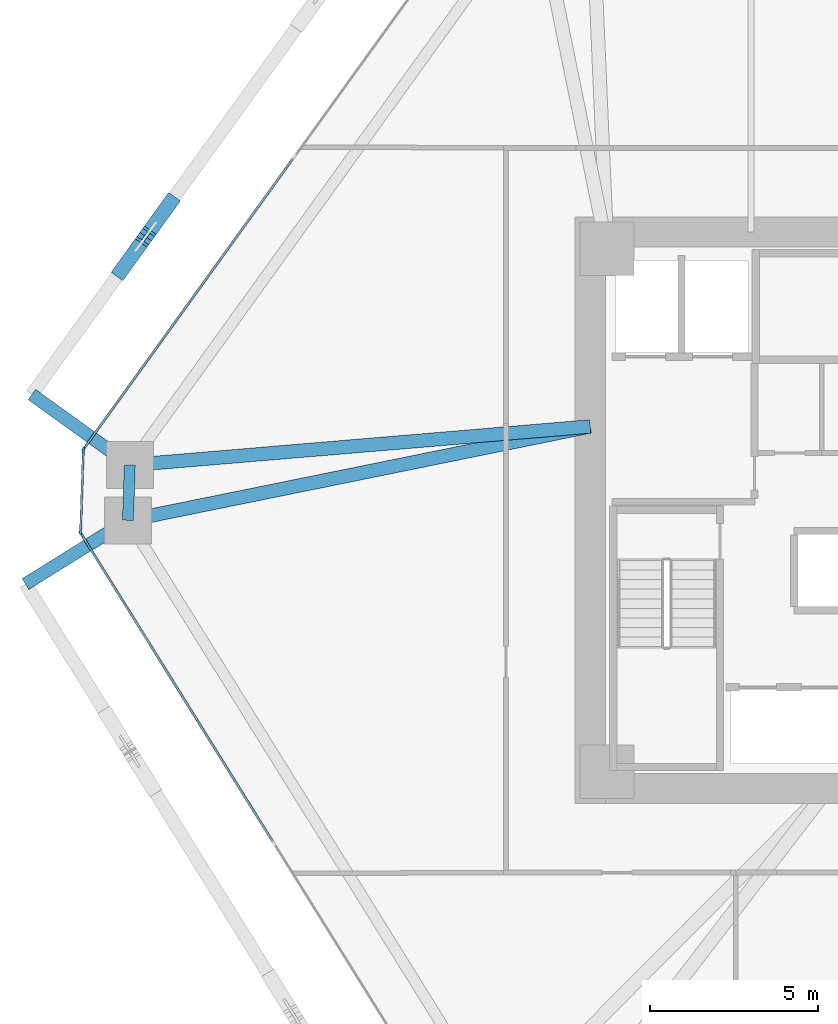
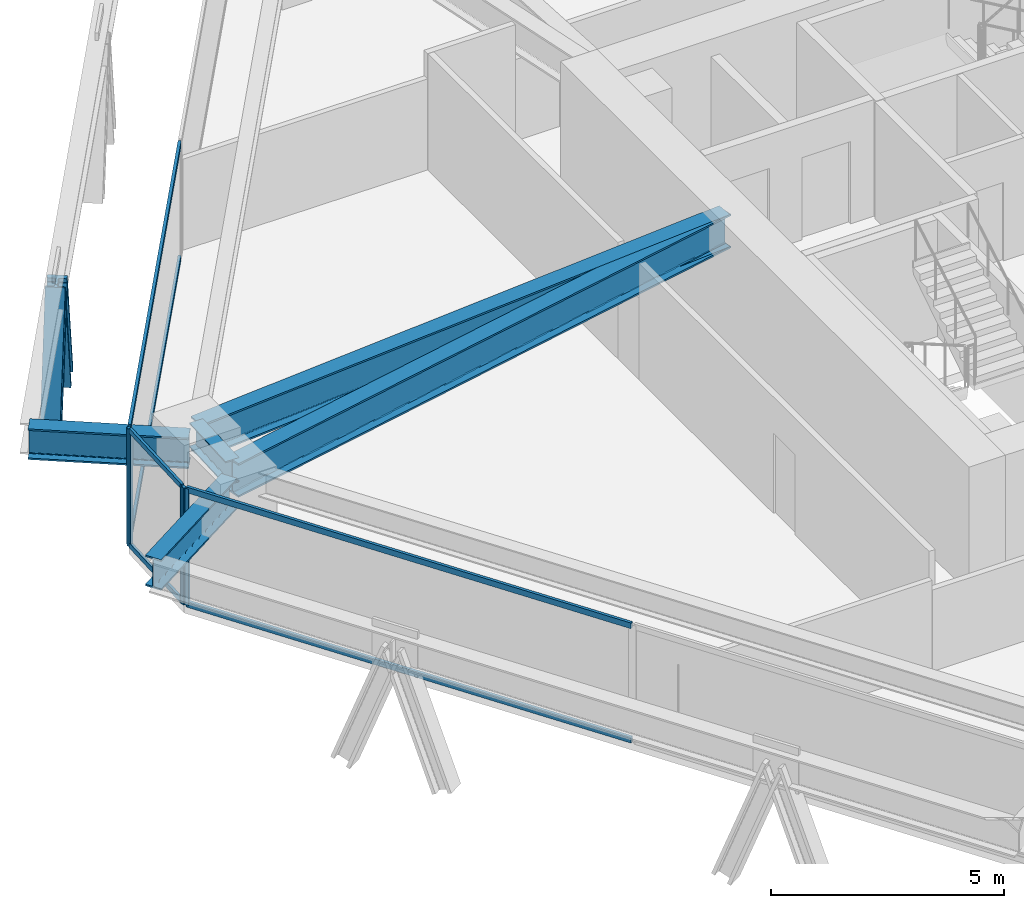
# One storey, part 4 of 16: 12 members, 5 beams, 3 elements without a shape of their own.
"""IFC4 building model written with IfcOpenShell, lengths in metres."""

import ifcopenshell
import ifcopenshell.guid

model = None  # the IFC model being written
_history = None  # IfcOwnerHistory: only IFC2X3 demands one
_inside = {}  # id of a spatial element -> (the spatial element, [elements in it])
_under = {}  # id of a project, library or spatial element -> (it, [spatial elements below it])
_declared = {}  # id of a project -> (the project, [libraries it declares])
_typed = {}  # id of a type object -> (the type object, [elements of that type])
_made_of = {}  # id of a material, layer set ... -> (it, [elements and type objects made of it])


def new_model(schema):
    """Start an empty IFC model of exactly this schema.

    Asked for "IFC4X3", IfcOpenShell would pick the latest addendum, in which some entities
    have other attributes; the version numbers below select the first issue.
    IFC2X3 requires an IfcOwnerHistory on every rooted entity: one is made here for all.
    """
    global model, _history
    if schema == "IFC4X3":
        model = ifcopenshell.file(schema_version=(4, 3, 0, 0))
    else:
        model = ifcopenshell.file(schema=schema)
    _inside.clear()
    _under.clear()
    _declared.clear()
    _typed.clear()
    _made_of.clear()
    _history = None
    if model.schema == "IFC2X3":
        org = make("IfcOrganization", Name="unknown")
        user = make(
            "IfcPersonAndOrganization",
            ThePerson=make("IfcPerson", FamilyName="unknown"),
            TheOrganization=org,
        )
        app = make(
            "IfcApplication",
            ApplicationDeveloper=org,
            Version="unknown",
            ApplicationFullName="unknown",
            ApplicationIdentifier="unknown",
        )
        _history = make(
            "IfcOwnerHistory",
            OwningUser=user,
            OwningApplication=app,
            ChangeAction="ADDED",
            CreationDate=0,
        )
    return model


def make(cls, **values):
    """One entity of the class cls with the attributes given. An attribute that is None is left unset."""
    return model.create_entity(
        cls, **{name: value for name, value in values.items() if value is not None}
    )


def rooted(cls, **values):
    """An entity with a GlobalId (a new one), such as an element, a storey or a relation."""
    return make(cls, GlobalId=ifcopenshell.guid.new(), OwnerHistory=_history, **values)


def si_unit(unit_type, name, prefix=None):
    """IfcSIUnit, for example si_unit("LENGTHUNIT", "METRE", prefix="MILLI")."""
    return make("IfcSIUnit", UnitType=unit_type, Prefix=prefix, Name=name)


def assignment(units):
    """IfcUnitAssignment: the units of a project."""
    return None if units is None else make("IfcUnitAssignment", Units=units)


def point(xyz):
    """IfcCartesianPoint."""
    return None if xyz is None else make("IfcCartesianPoint", Coordinates=xyz)


def direction(xyz):
    """IfcDirection."""
    return None if xyz is None else make("IfcDirection", DirectionRatios=xyz)


def frame(location, z_axis=None, x_axis=None):
    """IfcAxis2Placement3D, a coordinate frame: its origin and axes. An axis left out is left unset."""
    return make(
        "IfcAxis2Placement3D",
        Location=point(location),
        Axis=direction(z_axis),
        RefDirection=direction(x_axis),
    )


def frame_2d(location, x_axis=None):
    """IfcAxis2Placement2D, a coordinate frame in the plane: its origin and x axis."""
    return make(
        "IfcAxis2Placement2D", Location=point(location), RefDirection=direction(x_axis)
    )


def origin():
    """The frame at (0, 0, 0) with its axes left unset."""
    return frame((0.0, 0.0, 0.0))


def origin_2d():
    """The frame at (0, 0) in the plane with its x axis left unset."""
    return frame_2d((0.0, 0.0))


def place(relative_to, where):
    """IfcLocalPlacement: puts the frame where relative to a parent placement (None: the world)."""
    return make(
        "IfcLocalPlacement", PlacementRelTo=relative_to, RelativePlacement=where
    )


def context(
    kind, dimensions, precision=None, world=None, true_north=None, identifier=None
):
    """IfcGeometricRepresentationContext, for example the 3D "Model" context."""
    return make(
        "IfcGeometricRepresentationContext",
        ContextIdentifier=identifier,
        ContextType=kind,
        CoordinateSpaceDimension=dimensions,
        Precision=precision,
        WorldCoordinateSystem=world,
        TrueNorth=true_north,
    )


def subcontext(parent, identifier, kind, view, scale=None):
    """IfcGeometricRepresentationSubContext, for example "Body" below "Model"."""
    return make(
        "IfcGeometricRepresentationSubContext",
        ContextIdentifier=identifier,
        ContextType=kind,
        ParentContext=parent,
        TargetScale=scale,
        TargetView=view,
    )


def project(units=None, contexts=None):
    """IfcProject with its units and contexts."""
    return rooted(
        "IfcProject",
        Name="project",
        RepresentationContexts=contexts,
        UnitsInContext=assignment(units),
    )


def spatial(cls, under=None, at=None, **own):
    """A site, building, storey or space (cls), placed at a placement, below another one or the project."""
    s = rooted(cls, ObjectPlacement=at, **own)
    if under is not None:
        _under.setdefault(under.id(), (under, []))[1].append(s)
    return s


def profile(cls, at=None, kind="AREA", **sizes):
    """A parametric profile (cls). Its sizes go by their IFC names, for example OverallWidth=200.0."""
    return make(cls, ProfileType=kind, Position=at, **sizes)


def rectangle(**sizes):
    """IfcRectangleProfileDef."""
    return profile("IfcRectangleProfileDef", **sizes)


def i_section(**sizes):
    """IfcIShapeProfileDef."""
    return profile("IfcIShapeProfileDef", **sizes)


def extrude(swept, where, along, depth):
    """IfcExtrudedAreaSolid: the profile swept, set in the frame where, extruded along a direction by depth."""
    return make(
        "IfcExtrudedAreaSolid",
        SweptArea=swept,
        Position=where,
        ExtrudedDirection=direction(along),
        Depth=depth,
    )


def shape(context_of_items, identifier, shape_type, items):
    """IfcShapeRepresentation: the items that make up one representation, for example the "Body"."""
    return make(
        "IfcShapeRepresentation",
        ContextOfItems=context_of_items,
        RepresentationIdentifier=identifier,
        RepresentationType=shape_type,
        Items=items,
    )


def source(mapping_origin, context_of_items, identifier, shape_type, items):
    """IfcRepresentationMap: a shape defined once, which mapped items show again and again."""
    return make(
        "IfcRepresentationMap",
        MappingOrigin=mapping_origin,
        MappedRepresentation=shape(context_of_items, identifier, shape_type, items),
    )


def transform(
    local_origin,
    x_axis=None,
    y_axis=None,
    z_axis=None,
    scale=None,
    scale2=None,
    scale3=None,
    uniform=True,
):
    """IfcCartesianTransformationOperator3D, or its non-uniform kind. x_axis, y_axis, z_axis: its Axis1, 2, 3."""
    if uniform:
        return make(
            "IfcCartesianTransformationOperator3D",
            Axis1=direction(x_axis),
            Axis2=direction(y_axis),
            LocalOrigin=point(local_origin),
            Scale=scale,
            Axis3=direction(z_axis),
        )
    return make(
        "IfcCartesianTransformationOperator3DnonUniform",
        Axis1=direction(x_axis),
        Axis2=direction(y_axis),
        LocalOrigin=point(local_origin),
        Scale=scale,
        Axis3=direction(z_axis),
        Scale2=scale2,
        Scale3=scale3,
    )


def mapped(mapping_source, mapping_target):
    """IfcMappedItem: shows the shape of a source again, moved by a transform."""
    return make(
        "IfcMappedItem", MappingSource=mapping_source, MappingTarget=mapping_target
    )


def material(Name=None, Category=None):
    """IfcMaterial."""
    return make("IfcMaterial", Name=Name, Category=Category)


def layer(
    of_material, thickness, ventilated=None, Name=None, Category=None, Priority=None
):
    """IfcMaterialLayer: one layer of a wall or slab, of a material (None: an air gap)."""
    return make(
        "IfcMaterialLayer",
        Material=of_material,
        LayerThickness=thickness,
        IsVentilated=ventilated,
        Name=Name,
        Category=Category,
        Priority=Priority,
    )


def layer_set(layers, Name=None):
    """IfcMaterialLayerSet."""
    return make("IfcMaterialLayerSet", MaterialLayers=layers, LayerSetName=Name)


def material_profile(
    of_material, cross_section, Name=None, Category=None, Priority=None
):
    """IfcMaterialProfile: a cross section and its material."""
    return make(
        "IfcMaterialProfile",
        Name=Name,
        Material=of_material,
        Profile=cross_section,
        Priority=Priority,
        Category=Category,
    )


def profile_set(profiles, Name=None, composite=None):
    """IfcMaterialProfileSet."""
    return make(
        "IfcMaterialProfileSet",
        Name=Name,
        MaterialProfiles=profiles,
        CompositeProfile=composite,
    )


def made_of(thing, what):
    """Note that an element or type object is made of a material, layer set ...; save() writes the relation."""
    if what is not None:
        _made_of.setdefault(what.id(), (what, []))[1].append(thing)
    return thing


def type_object(cls, material=None, **own):
    """A type object (cls), such as IfcWallType, which elements share."""
    return made_of(rooted(cls, **own), material)


def type_shapes(of_type, sources):
    """Give a type object the sources (RepresentationMaps) that its elements show as mapped items."""
    of_type.RepresentationMaps = sources


def element(
    cls,
    number,
    at=None,
    inside=None,
    cuts=None,
    type_object=None,
    material=None,
    context=None,
    identifier="Body",
    shape_type=None,
    held_by="IfcProductDefinitionShape",
    body=None,
    shapes=None,
    **own,
):
    """One element of the class cls, such as IfcWall. Its Tag is "e" and its number.

    at: its placement. inside: the storey or other place that contains it. cuts: it is an
    opening in that element (IfcRelVoidsElement). A single representation is given by context,
    identifier, shape_type and body (its items); several are given by shapes. held_by: the class
    of the entity that holds the representations. save() writes the other relations.
    """
    e = rooted(cls, Tag="e%d" % number, ObjectPlacement=at, **own)
    if body is not None:
        shapes = [shape(context, identifier, shape_type, body)]
    if shapes is not None:
        e.Representation = make(held_by, Representations=shapes)
    if inside is not None:
        _inside.setdefault(inside.id(), (inside, []))[1].append(e)
    if cuts is not None:
        rooted(
            "IfcRelVoidsElement", RelatingBuildingElement=cuts, RelatedOpeningElement=e
        )
    if type_object is not None:
        _typed.setdefault(type_object.id(), (type_object, []))[1].append(e)
    return made_of(e, material)


def aggregate(whole, parts):
    """IfcRelAggregates: a whole, such as a stair, and the parts it consists of."""
    return rooted("IfcRelAggregates", RelatingObject=whole, RelatedObjects=parts)


def save(model, path):
    """Write the relations noted so far, then the file.

    IfcRelAggregates (storeys below a building ...), IfcRelContainedInSpatialStructure (elements
    in a storey), IfcRelDefinesByType, IfcRelAssociatesMaterial and IfcRelDeclares: one each for
    every whole, place, type object, material and project.
    """
    for whole, parts in _under.values():
        aggregate(whole, parts)
    for where, things in _inside.values():
        rooted(
            "IfcRelContainedInSpatialStructure",
            RelatedElements=things,
            RelatingStructure=where,
        )
    for kind, things in _typed.values():
        rooted("IfcRelDefinesByType", RelatedObjects=things, RelatingType=kind)
    for what, things in _made_of.values():
        rooted("IfcRelAssociatesMaterial", RelatedObjects=things, RelatingMaterial=what)
    for by, libraries in _declared.values():
        rooted("IfcRelDeclares", RelatingContext=by, RelatedDefinitions=libraries)
    model.write(path)


model = new_model("IFC4")

# Units and contexts
model_context = context("Model", 3, precision=1e-05, world=origin(), true_north=direction((0.0, 1.0)))
body_context = subcontext(model_context, "Body", "Model", "MODEL_VIEW")
ifc_project = project(units=[si_unit("LENGTHUNIT", "METRE"), si_unit("AREAUNIT", "SQUARE_METRE"), si_unit("VOLUMEUNIT", "CUBIC_METRE"), si_unit("PLANEANGLEUNIT", "RADIAN"), si_unit("MASSUNIT", "GRAM", prefix="KILO")], contexts=[model_context])

# Site, building, storey
site_placement = place(None, origin())
site = spatial("IfcSite", under=ifc_project, at=site_placement, CompositionType="ELEMENT")
building_placement = place(site_placement, origin())
building = spatial("IfcBuilding", under=site, at=building_placement, Name="Durnholm Broadcast Tower", CompositionType="ELEMENT")
storey_placement = place(building_placement, frame((0.0, 0.0, 65.39990234375)))
storey = spatial("IfcBuildingStorey", under=building, at=storey_placement, Name="L16", CompositionType="ELEMENT", Elevation=65.39990234375)

# Beams
ifc_material_1 = material(Name="Steel ASTM A992 Grade 50", Category="steel")
ifc_material_profile_1 = material_profile(ifc_material_1, i_section(OverallWidth=0.3291015625, OverallDepth=0.635009765625, WebThickness=0.017822265625, FlangeThickness=0.031005859375, FilletRadius=0.02783203125, at=origin_2d()), Name="W24X162")
ifc_profile_set_1 = profile_set([ifc_material_profile_1], Name="Steel ASTM A992 Grade 50")
beam_type_1 = type_object("IfcBeamType", Name="STL-SP-W24X162", PredefinedType="SPANDREL", material=ifc_profile_set_1)
shared_shape_1 = source(origin(), body_context, "Body", "SweptSolid", [
    extrude(i_section(OverallWidth=0.3291015625, OverallDepth=0.635009765625, WebThickness=0.017822265625, FlangeThickness=0.031005859375, FilletRadius=0.02783203125, at=origin_2d()), origin(), (0.0, 0.0, 1.0), 1.648193359375),
])
type_shapes(beam_type_1, [shared_shape_1])
beam_1_placement = place(storey_placement, frame((-24.0908203125, -0.2998046875, 2.7275390625), z_axis=(0.033921477804, 0.999424501072, 0.0), x_axis=(-0.999424501072, 0.033921477804, 0.0)))
element("IfcBeam", 1, at=beam_1_placement, inside=storey, type_object=beam_type_1, Name="L16 perimeter spandrel girder 02", PredefinedType="SPANDREL", context=body_context, shape_type="MappedRepresentation", body=[
    mapped(shared_shape_1, transform((0.0, 0.0, 0.0), x_axis=(1.0, 0.0, 0.0), y_axis=(0.0, 1.0, 0.0), z_axis=(0.0, 0.0, 1.0), scale=1.0)),
])
ifc_material_profile_2 = material_profile(ifc_material_1, i_section(OverallWidth=0.404052734375, OverallDepth=0.885009765625, WebThickness=0.0244140625, FlangeThickness=0.0439453125, FilletRadius=0.03564453125, at=origin_2d()), Name="W33X291")
ifc_profile_set_2 = profile_set([ifc_material_profile_2], Name="Steel ASTM A992 Grade 50")
beam_type_2 = type_object("IfcBeamType", Name="STL-GR-W33X291", PredefinedType="USERDEFINED", material=ifc_profile_set_2)
shared_shape_2 = source(origin(), body_context, "Body", "SweptSolid", [
    extrude(i_section(OverallWidth=0.404052734375, OverallDepth=0.885009765625, WebThickness=0.0244140625, FlangeThickness=0.0439453125, FilletRadius=0.03564453125, at=origin_2d()), origin(), (0.0, 0.0, 1.0), 14.072021484375),
])
beam_2_placement = place(storey_placement, frame((-10.300048828125, 2.5, 2.6025390625), z_axis=(-0.980007356767, -0.198961254225, 0.0), x_axis=(0.198961254225, -0.980007356767, 0.0)))
element("IfcBeam", 2, at=beam_2_placement, inside=storey, type_object=beam_type_2, Name="L16 radial primary floor girder 02", ObjectType="GIRDER", PredefinedType="USERDEFINED", context=body_context, shape_type="MappedRepresentation", body=[
    mapped(shared_shape_2, transform((0.0, 0.0, 0.0), x_axis=(1.0, 0.0, 0.0), y_axis=(0.0, 1.0, 0.0), z_axis=(0.0, 0.0, 1.0), scale=1.0)),
])
shared_shape_3 = source(origin(), body_context, "Body", "SweptSolid", [
    extrude(i_section(OverallWidth=0.404052734375, OverallDepth=0.885009765625, WebThickness=0.0244140625, FlangeThickness=0.0439453125, FilletRadius=0.03564453125, at=origin_2d()), origin(), (0.0, 0.0, 1.0), 13.783203125),
])
type_shapes(beam_type_2, [shared_shape_2, shared_shape_3])
beam_3_placement = place(storey_placement, frame((-10.300048828125, 2.5, 2.6025390625), z_axis=(-0.996497460403, -0.083623031579, 0.0), x_axis=(0.083623031579, -0.996497460403, 0.0)))
element("IfcBeam", 3, at=beam_3_placement, inside=storey, type_object=beam_type_2, Name="L16 radial primary floor girder 03", ObjectType="GIRDER", PredefinedType="USERDEFINED", context=body_context, shape_type="MappedRepresentation", body=[
    mapped(shared_shape_3, transform((0.0, 0.0, 0.0), x_axis=(1.0, 0.0, 0.0), y_axis=(0.0, 1.0, 0.0), z_axis=(0.0, 0.0, 1.0), scale=1.0)),
])
ifc_material_profile_3 = material_profile(ifc_material_1, i_section(OverallWidth=0.385009765625, OverallDepth=0.802978515625, WebThickness=0.023681640625, FlangeThickness=0.0419921875, FilletRadius=0.032958984375, at=origin_2d()), Name="W30X261")
ifc_profile_set_3 = profile_set([ifc_material_profile_3], Name="Steel ASTM A992 Grade 50")
beam_type_3 = type_object("IfcBeamType", Name="BM-EXO-TIE", PredefinedType="USERDEFINED", material=ifc_profile_set_3)
shared_shape_4 = source(origin(), body_context, "Body", "SweptSolid", [
    extrude(i_section(OverallWidth=0.385009765625, OverallDepth=0.802978515625, WebThickness=0.023681640625, FlangeThickness=0.0419921875, FilletRadius=0.032958984375, at=origin_2d()), origin(), (0.0, 0.0, 1.0), 3.4560546875),
])
beam_4_placement = place(storey_placement, frame((-24.212890625, -0.375732421875, 2.30859375), z_axis=(-0.848874183218, -0.528594949906, 0.0), x_axis=(0.528594949906, -0.848874183218, 0.0)))
element("IfcBeam", 4, at=beam_4_placement, inside=storey, type_object=beam_type_3, Name="L16 exoskeleton stand-off tie bracket F6.1", ObjectType="GIRDER", PredefinedType="USERDEFINED", context=body_context, shape_type="MappedRepresentation", body=[
    mapped(shared_shape_4, transform((0.0, 0.0, 0.0), x_axis=(1.0, 0.0, 0.0), y_axis=(0.0, 1.0, 0.0), z_axis=(0.0, 0.0, 1.0), scale=1.0)),
])
shared_shape_5 = source(origin(), body_context, "Body", "SweptSolid", [
    extrude(i_section(OverallWidth=0.385009765625, OverallDepth=0.802978515625, WebThickness=0.023681640625, FlangeThickness=0.0419921875, FilletRadius=0.032958984375, at=origin_2d()), origin(), (0.0, 0.0, 1.0), 3.455810546875),
])
type_shapes(beam_type_3, [shared_shape_4, shared_shape_5])
beam_5_placement = place(storey_placement, frame((-24.15185546875, 1.431396484375, 2.30859375), z_axis=(-0.811133512552, 0.584861030344, 0.0), x_axis=(-0.584861030344, -0.811133512552, 0.0)))
element("IfcBeam", 5, at=beam_5_placement, inside=storey, type_object=beam_type_3, Name="L16 exoskeleton stand-off tie bracket F5.2", ObjectType="GIRDER", PredefinedType="USERDEFINED", context=body_context, shape_type="MappedRepresentation", body=[
    mapped(shared_shape_5, transform((0.0, 0.0, 0.0), x_axis=(1.0, 0.0, 0.0), y_axis=(0.0, 1.0, 0.0), z_axis=(0.0, 0.0, 1.0), scale=1.0)),
])

# Members
ifc_material_2 = material(Name="Steel ASTM A913 Grade 65", Category="steel")
ifc_material_profile_4 = material_profile(ifc_material_2, i_section(OverallWidth=0.43212890625, OverallDepth=0.497802734375, WebThickness=0.0556640625, FlangeThickness=0.0888671875, FilletRadius=0.030517578125, at=origin_2d()), Name="W14X500")
ifc_profile_set_4 = profile_set([ifc_material_profile_4], Name="Steel ASTM A913 Grade 65")
member_type_1 = type_object("IfcMemberType", Name="STL-DG-W14X500", PredefinedType="BRACE", material=ifc_profile_set_4)
shared_shape_6 = source(origin(), body_context, "Body", "SweptSolid", [
    extrude(i_section(OverallWidth=0.43212890625, OverallDepth=0.497802734375, WebThickness=0.0556640625, FlangeThickness=0.0888671875, FilletRadius=0.030517578125, at=origin_2d()), origin(), (0.0, 0.0, 1.0), 3.52294921875),
])
type_shapes(member_type_1, [shared_shape_6])
for number, where, z_axis, x_axis, name in (
    (6, (-22.837890625, 9.163330078125, -0.9912109375), (-0.204852434815, -0.28406296695, 0.936666275019), (0.81109123444, -0.58491966065, 0.0), "L16 stand-off diagrid brace F5.D2.1"),
    (7, (-24.281005859375, 7.161865234375, -0.9912109375), (0.204786041012, 0.284066999022, 0.93667957033), (-0.811185111535, 0.584789461963, 0.0), "L16 stand-off diagrid brace F5.D2.2"),
):
    element("IfcMember", number, at=place(storey_placement, frame(where, z_axis=z_axis, x_axis=x_axis)), inside=storey, type_object=member_type_1, Name=name, PredefinedType="BRACE", context=body_context, shape_type="MappedRepresentation", body=[
        mapped(shared_shape_6, transform((0.0, 0.0, 0.0), x_axis=(1.0, 0.0, 0.0), y_axis=(0.0, 1.0, 0.0), z_axis=(0.0, 0.0, 1.0), scale=1.0)),
    ])

# Curtain wall, members
ifc_material_3 = material(Name="Aluminium and Solar Control IGU", Category="aluminium")
ifc_layer_1 = layer(ifc_material_3, 0.1650390625)
ifc_layer_set_1 = layer_set([ifc_layer_1], Name="Aluminium and Solar Control IGU")
curtain_wall_type_1 = type_object("IfcCurtainWallType", Name="CW-SYS-5", PredefinedType="NOTDEFINED", material=ifc_layer_set_1)
curtain_wall_1_placement = place(storey_placement, origin())
curtain_wall_1 = element("IfcCurtainWall", 8, at=curtain_wall_1_placement, inside=storey, type_object=curtain_wall_type_1, Name="L16 curtain wall CW-CORNER CW-L16-CRN-01", PredefinedType="NOTDEFINED")
ifc_material_4 = material(Name="Aluminium 6063-T6", Category="aluminium")
ifc_material_profile_5 = material_profile(ifc_material_4, rectangle(XDim=0.06494140625, YDim=0.1650390625, at=origin_2d()), Name="CWM65X165")
ifc_profile_set_5 = profile_set([ifc_material_profile_5], Name="Aluminium 6063-T6")
member_type_2 = type_object("IfcMemberType", Name="CW-SYS-5-MUL", PredefinedType="MULLION", material=ifc_profile_set_5)
shared_shape_7 = source(origin(), body_context, "Body", "SweptSolid", [
    extrude(rectangle(XDim=0.06494140625, YDim=0.1650390625, at=origin_2d()), origin(), (0.0, 0.0, 1.0), 3.06005859375),
])
type_shapes(member_type_2, [shared_shape_7])
member_1_placement = place(storey_placement, frame((-25.50341796875, -0.6455078125, 0.0), z_axis=(0.0, 0.0, 1.0), x_axis=(-0.999427277772, 0.033839569233, 0.0)))
member_1 = element("IfcMember", 9, at=member_1_placement, type_object=member_type_2, Name="CW-CORNER mullion 1", PredefinedType="MULLION", context=body_context, shape_type="MappedRepresentation", body=[
    mapped(shared_shape_7, transform((0.0, 0.0, 0.0), x_axis=(1.0, 0.0, 0.0), y_axis=(0.0, 1.0, 0.0), z_axis=(0.0, 0.0, 1.0), scale=1.0)),
])
member_2_placement = place(storey_placement, frame((-25.4208984375, 1.7880859375, 0.0), z_axis=(0.0, 0.0, 1.0), x_axis=(-0.999427277772, 0.033839569233, 0.0)))
member_2 = element("IfcMember", 10, at=member_2_placement, type_object=member_type_2, Name="CW-CORNER mullion 2", PredefinedType="MULLION", context=body_context, shape_type="MappedRepresentation", body=[
    mapped(shared_shape_7, transform((0.0, 0.0, 0.0), x_axis=(1.0, 0.0, 0.0), y_axis=(0.0, 1.0, 0.0), z_axis=(0.0, 0.0, 1.0), scale=1.0)),
])
ifc_material_profile_6 = material_profile(ifc_material_4, rectangle(XDim=0.06494140625, YDim=0.1298828125, at=origin_2d()), Name="CWT65X130")
ifc_profile_set_6 = profile_set([ifc_material_profile_6], Name="Aluminium 6063-T6")
member_type_3 = type_object("IfcMemberType", Name="CW-SYS-5-TRN", PredefinedType="USERDEFINED", material=ifc_profile_set_6)
shared_shape_8 = source(origin(), body_context, "Body", "SweptSolid", [
    extrude(rectangle(XDim=0.06494140625, YDim=0.1298828125, at=origin_2d()), origin(), (0.0, 0.0, 1.0), 2.3701171875),
])
type_shapes(member_type_3, [shared_shape_8])
member_3_placement = place(storey_placement, frame((-25.502197265625, -0.613037109375, 0.03271484375), z_axis=(0.033788158898, 0.999429017148, 0.0), x_axis=(-0.999429017148, 0.033788158898, 0.0)))
member_3 = element("IfcMember", 11, at=member_3_placement, type_object=member_type_3, Name="CW-CORNER transom 1.1", ObjectType="TRANSOM", PredefinedType="USERDEFINED", context=body_context, shape_type="MappedRepresentation", body=[
    mapped(shared_shape_8, transform((0.0, 0.0, 0.0), x_axis=(1.0, 0.0, 0.0), y_axis=(0.0, 1.0, 0.0), z_axis=(0.0, 0.0, 1.0), scale=1.0)),
])
member_4_placement = place(storey_placement, frame((-25.502197265625, -0.613037109375, 3.027587890625), z_axis=(0.033788158898, 0.999429017148, 0.0), x_axis=(-0.999429017148, 0.033788158898, 0.0)))
member_4 = element("IfcMember", 12, at=member_4_placement, type_object=member_type_3, Name="CW-CORNER transom 1.2", ObjectType="TRANSOM", PredefinedType="USERDEFINED", context=body_context, shape_type="MappedRepresentation", body=[
    mapped(shared_shape_8, transform((0.0, 0.0, 0.0), x_axis=(1.0, 0.0, 0.0), y_axis=(0.0, 1.0, 0.0), z_axis=(0.0, 0.0, 1.0), scale=1.0)),
])
aggregate(curtain_wall_1, [member_1, member_2, member_3, member_4])

# Curtain wall, member
ifc_layer_2 = layer(ifc_material_3, 0.18994140625)
ifc_layer_set_2 = layer_set([ifc_layer_2], Name="Aluminium and Solar Control IGU")
curtain_wall_type_2 = type_object("IfcCurtainWallType", Name="CW-SYS-3", PredefinedType="NOTDEFINED", material=ifc_layer_set_2)
curtain_wall_2_placement = place(storey_placement, origin())
curtain_wall_2 = element("IfcCurtainWall", 13, at=curtain_wall_2_placement, inside=storey, type_object=curtain_wall_type_2, Name="L16 curtain wall CW-Z12-VIS CW-L16-F02", PredefinedType="NOTDEFINED")
ifc_material_profile_7 = material_profile(ifc_material_4, rectangle(XDim=0.070068359375, YDim=0.18994140625, at=origin_2d()), Name="CWM70X190")
ifc_profile_set_7 = profile_set([ifc_material_profile_7], Name="Aluminium 6063-T6")
member_type_4 = type_object("IfcMemberType", Name="CW-SYS-3-MUL", PredefinedType="MULLION", material=ifc_profile_set_7)
shared_shape_9 = source(origin(), body_context, "Body", "SweptSolid", [
    extrude(rectangle(XDim=0.070068359375, YDim=0.18994140625, at=origin_2d()), origin(), (0.0, 0.0, 1.0), 3.06005859375),
])
type_shapes(member_type_4, [shared_shape_9])
member_5_placement = place(storey_placement, frame((-25.3994140625, 1.848876953125, 0.0), z_axis=(0.0, 0.0, 1.0), x_axis=(-0.81116057493, 0.584823496176, 0.0)))
member_5 = element("IfcMember", 14, at=member_5_placement, type_object=member_type_4, Name="CW-Z12-VIS mullion 1", PredefinedType="MULLION", context=body_context, shape_type="MappedRepresentation", body=[
    mapped(shared_shape_9, transform((0.0, 0.0, 0.0), x_axis=(1.0, 0.0, 0.0), y_axis=(0.0, 1.0, 0.0), z_axis=(0.0, 0.0, 1.0), scale=1.0)),
])

curtain_wall_3_placement = place(storey_placement, origin())
curtain_wall_3 = element("IfcCurtainWall", 15, at=curtain_wall_3_placement, inside=storey, type_object=curtain_wall_type_2, Name="L16 curtain wall CW-Z12-VIS CW-L16-F12", PredefinedType="NOTDEFINED")
member_6_placement = place(storey_placement, frame((-25.48583984375, -0.707763671875, 0.0), z_axis=(0.0, 0.0, 1.0), x_axis=(-0.848875785503, -0.528592376777, 0.0)))
member_6 = element("IfcMember", 16, at=member_6_placement, type_object=member_type_4, Name="CW-Z12-VIS mullion 3", PredefinedType="MULLION", context=body_context, shape_type="MappedRepresentation", body=[
    mapped(shared_shape_9, transform((0.0, 0.0, 0.0), x_axis=(1.0, 0.0, 0.0), y_axis=(0.0, 1.0, 0.0), z_axis=(0.0, 0.0, 1.0), scale=1.0)),
])

# Member
ifc_material_profile_8 = material_profile(ifc_material_4, rectangle(XDim=0.070068359375, YDim=0.14990234375, at=origin_2d()), Name="CWT70X150")
ifc_profile_set_8 = profile_set([ifc_material_profile_8], Name="Aluminium 6063-T6")
member_type_5 = type_object("IfcMemberType", Name="CW-SYS-3-TRN", PredefinedType="USERDEFINED", material=ifc_profile_set_8)
shared_shape_10 = source(origin(), body_context, "Body", "SweptSolid", [
    extrude(rectangle(XDim=0.070068359375, YDim=0.14990234375, at=origin_2d()), origin(), (0.0, 0.0, 1.0), 10.6455078125),
])
member_7_placement = place(storey_placement, frame((-25.37890625, 1.877197265625, 0.03515625), z_axis=(0.584812103659, 0.811168788486, 0.0), x_axis=(-0.811168788486, 0.584812103659, 0.0)))
member_7 = element("IfcMember", 17, at=member_7_placement, type_object=member_type_5, Name="CW-Z12-VIS transom 1.1", ObjectType="TRANSOM", PredefinedType="USERDEFINED", context=body_context, shape_type="MappedRepresentation", body=[
    mapped(shared_shape_10, transform((0.0, 0.0, 0.0), x_axis=(1.0, 0.0, 0.0), y_axis=(0.0, 1.0, 0.0), z_axis=(0.0, 0.0, 1.0), scale=1.0)),
])

member_8_placement = place(storey_placement, frame((-25.37890625, 1.877197265625, 3.025146484375), z_axis=(0.584812103659, 0.811168788486, 0.0), x_axis=(-0.811168788486, 0.584812103659, 0.0)))
member_8 = element("IfcMember", 18, at=member_8_placement, type_object=member_type_5, Name="CW-Z12-VIS transom 1.2", ObjectType="TRANSOM", PredefinedType="USERDEFINED", context=body_context, shape_type="MappedRepresentation", body=[
    mapped(shared_shape_10, transform((0.0, 0.0, 0.0), x_axis=(1.0, 0.0, 0.0), y_axis=(0.0, 1.0, 0.0), z_axis=(0.0, 0.0, 1.0), scale=1.0)),
])

aggregate(curtain_wall_2, [member_5, member_7, member_8])

shared_shape_11 = source(origin(), body_context, "Body", "SweptSolid", [
    extrude(rectangle(XDim=0.070068359375, YDim=0.14990234375, at=origin_2d()), origin(), (0.0, 0.0, 1.0), 10.796630859375),
])
type_shapes(member_type_5, [shared_shape_10, shared_shape_11])
member_9_placement = place(storey_placement, frame((-19.760498046875, -9.902587890625, 0.03515625), z_axis=(-0.528575362968, 0.848886379714, 0.0), x_axis=(-0.848886379714, -0.528575362968, 0.0)))
member_9 = element("IfcMember", 19, at=member_9_placement, type_object=member_type_5, Name="CW-Z12-VIS transom 2.1", ObjectType="TRANSOM", PredefinedType="USERDEFINED", context=body_context, shape_type="MappedRepresentation", body=[
    mapped(shared_shape_11, transform((0.0, 0.0, 0.0), x_axis=(1.0, 0.0, 0.0), y_axis=(0.0, 1.0, 0.0), z_axis=(0.0, 0.0, 1.0), scale=1.0)),
])

member_10_placement = place(storey_placement, frame((-19.760498046875, -9.902587890625, 3.025146484375), z_axis=(-0.528575362968, 0.848886379714, 0.0), x_axis=(-0.848886379714, -0.528575362968, 0.0)))
member_10 = element("IfcMember", 20, at=member_10_placement, type_object=member_type_5, Name="CW-Z12-VIS transom 2.2", ObjectType="TRANSOM", PredefinedType="USERDEFINED", context=body_context, shape_type="MappedRepresentation", body=[
    mapped(shared_shape_11, transform((0.0, 0.0, 0.0), x_axis=(1.0, 0.0, 0.0), y_axis=(0.0, 1.0, 0.0), z_axis=(0.0, 0.0, 1.0), scale=1.0)),
])

aggregate(curtain_wall_3, [member_6, member_9, member_10])

save(model, "model.ifc")
